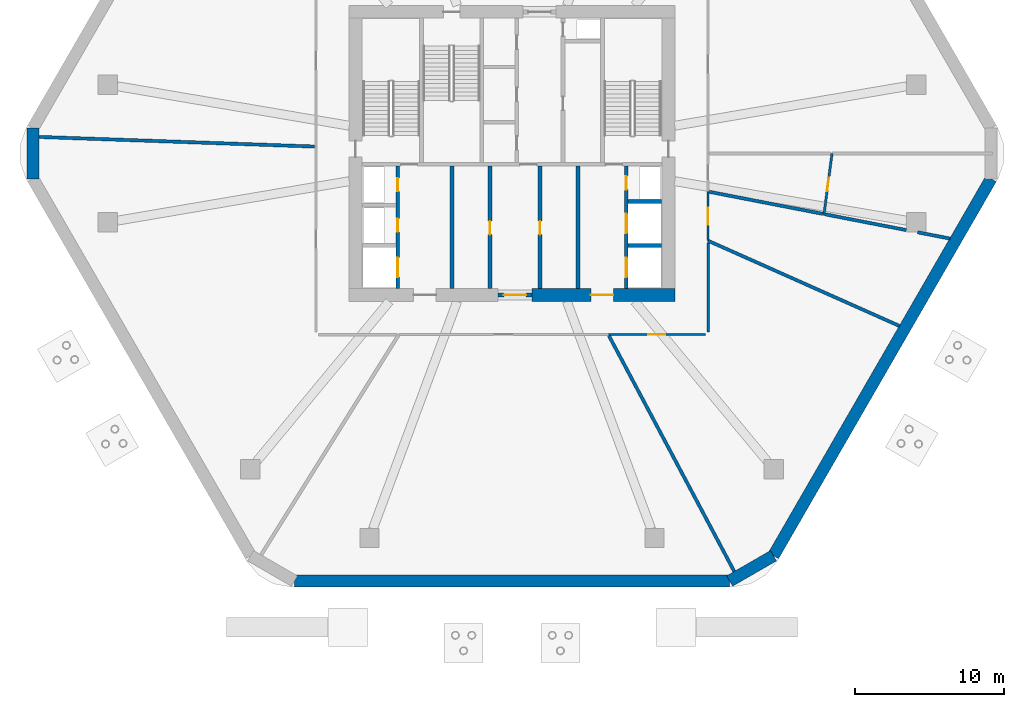
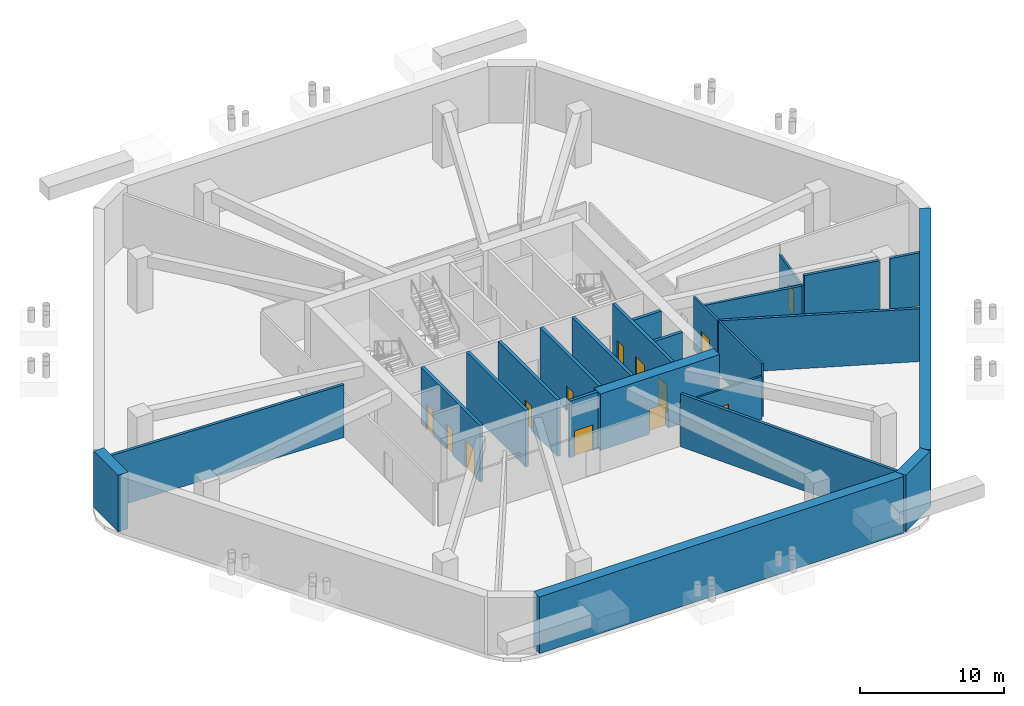
# One storey, part 7 of 10: 24 walls, 13 doors, 13 openings.
"""IFC4 building model written with IfcOpenShell, lengths in metres."""

from ifc_helpers import new_model, si_unit, direction, frame, frame_2d, origin, place, context, subcontext, project, spatial, rectangle, extrude, material, layer, layer_set, type_object, element, fill, save


model = new_model("IFC4")

# Units and contexts
model_context = context("Model", 3, precision=1e-05, world=origin(), true_north=direction((0.0, 1.0)))
body_context = subcontext(model_context, "Body", "Model", "MODEL_VIEW")
ifc_project = project(units=[si_unit("LENGTHUNIT", "METRE"), si_unit("AREAUNIT", "SQUARE_METRE"), si_unit("VOLUMEUNIT", "CUBIC_METRE"), si_unit("PLANEANGLEUNIT", "RADIAN"), si_unit("MASSUNIT", "GRAM", prefix="KILO")], contexts=[model_context])

# Site, building, storey
site_placement = place(None, origin())
site = spatial("IfcSite", under=ifc_project, at=site_placement, CompositionType="ELEMENT")
building_placement = place(site_placement, origin())
building = spatial("IfcBuilding", under=site, at=building_placement, Name="Zuhravey Tower", CompositionType="ELEMENT")
storey_placement = place(building_placement, frame((0.0, 0.0, -4.800048828125)))
storey = spatial("IfcBuildingStorey", under=building, at=storey_placement, Name="B01", CompositionType="ELEMENT", Elevation=-4.800048828125)

# Walls
ifc_material_1 = material(Name="Concrete C50/60", Category="concrete")
ifc_layer_1 = layer(ifc_material_1, 0.800048828125)
ifc_layer_set_1 = layer_set([ifc_layer_1], Name="Concrete C50/60")
wall_type_1 = type_object("IfcWallType", Name="Basement Retaining Wall 800", PredefinedType="USERDEFINED", material=ifc_layer_set_1)
wall_1_placement = place(storey_placement, frame((3.843505859375, 33.699951171875, 0.0), z_axis=(0.0, 0.0, 1.0), x_axis=(0.0, -1.0, 0.0)))
element("IfcWall", 1, at=wall_1_placement, inside=storey, type_object=wall_type_1, Name="B01 Retaining Wall RW80-07", ObjectType="RETAININGWALL", PredefinedType="USERDEFINED", context=body_context, shape_type="SweptSolid", body=[
    extrude(rectangle(XDim=3.39990234375, YDim=0.800048828125, at=frame_2d((1.699951171875, 0.0))), origin(), (0.0, 0.0, 1.0), 4.800048828125),
])
wall_2_placement = place(storey_placement, frame((21.393798828125, 3.301513671875, 0.0), z_axis=(0.0, 0.0, 1.0), x_axis=(1.0, 0.0, 0.0)))
element("IfcWall", 2, at=wall_2_placement, inside=storey, type_object=wall_type_1, Name="B01 Retaining Wall RW80-10", ObjectType="RETAININGWALL", PredefinedType="USERDEFINED", context=body_context, shape_type="SweptSolid", body=[
    extrude(rectangle(XDim=29.21240234375, YDim=0.800048828125, at=frame_2d((14.606201171875, 0.0))), origin(), (0.0, 0.0, 1.0), 4.800048828125),
])
wall_3_placement = place(storey_placement, frame((50.606201171875, 3.301513671875, 0.0), z_axis=(0.0, 0.0, 1.0), x_axis=(0.866020560687, 0.500008388397, 0.0)))
element("IfcWall", 3, at=wall_3_placement, inside=storey, type_object=wall_type_1, Name="B01 Retaining Wall RW80-11", ObjectType="RETAININGWALL", PredefinedType="USERDEFINED", context=body_context, shape_type="SweptSolid", body=[
    extrude(rectangle(XDim=3.39990234375, YDim=0.800048828125, at=frame_2d((1.699951171875, 0.0))), origin(), (0.0, 0.0, 1.0), 4.800048828125),
])
wall_4_placement = place(storey_placement, frame((53.550537109375, 5.00146484375, 0.0), z_axis=(0.0, 0.0, 1.0), x_axis=(0.499995192696, 0.866028179265, 0.0)))
element("IfcWall", 4, at=wall_4_placement, inside=storey, type_object=wall_type_1, Name="B01 Retaining Wall RW80-12", ObjectType="RETAININGWALL", PredefinedType="USERDEFINED", context=body_context, shape_type="SweptSolid", body=[
    extrude(rectangle(XDim=29.212158203125, YDim=0.800048828125, at=frame_2d((14.60595703125, 0.0))), origin(), (0.0, 0.0, 1.0), 4.800048828125),
])

# Wall, opening, door
ifc_material_2 = material(Name="Concrete C60/75", Category="concrete")
ifc_layer_2 = layer(ifc_material_2, 0.85009765625)
ifc_layer_set_2 = layer_set([ifc_layer_2], Name="Concrete C60/75")
wall_type_2 = type_object("IfcWallType", Name="Core Shear Wall 850", PredefinedType="SHEAR", material=ifc_layer_set_2)
wall_5_placement = place(storey_placement, frame((37.35009765625, 22.5, 0.0), z_axis=(0.0, 0.0, 1.0), x_axis=(1.0, 0.0, 0.0)))
wall_5 = element("IfcWall", 5, at=wall_5_placement, inside=storey, type_object=wall_type_2, Name="B01 South-East Core Shear Wall CW85", PredefinedType="SHEAR", context=body_context, shape_type="SweptSolid", body=[
    extrude(rectangle(XDim=9.574951171875, YDim=0.85009765625, at=frame_2d((4.78759765625, 0.0))), origin(), (0.0, 0.0, 1.0), 4.800048828125),
])
opening_1_placement = place(wall_5_placement, frame((3.949951171875, 0.0, 0.0)))
opening_1 = element("IfcOpeningElement", 6, at=opening_1_placement, cuts=wall_5, Name="Opening FFD1", PredefinedType="OPENING", context=body_context, shape_type="SweptSolid", body=[
    extrude(rectangle(XDim=1.5, YDim=2.14990234375, at=frame_2d((0.75, 1.074951171875))), frame((0.0, 0.43701171875, 0.0), z_axis=(0.0, -1.0, 0.0), x_axis=(1.0, 0.0, 0.0)), (0.0, 0.0, 1.0), 0.8740234375),
])
ifc_material_3 = material(Name="Galvanised fire-rated steel leaf", Category="steel")
door_type_1 = type_object("IfcDoorType", Name="Firefighting Lobby Double Door 1500x2150", OperationType="DOUBLE_DOOR_SINGLE_SWING", PredefinedType="DOOR", material=ifc_material_3)
door_1_placement = place(opening_1_placement, origin())
door_1 = element("IfcDoor", 7, at=door_1_placement, inside=storey, type_object=door_type_1, Name="B01 Firefighting Lobby East Door", OperationType="DOUBLE_DOOR_SINGLE_SWING", OverallHeight=2.14990234375, OverallWidth=1.5, PredefinedType="DOOR", context=body_context, shape_type="SweptSolid", body=[
    extrude(rectangle(XDim=1.5, YDim=2.14990234375, at=frame_2d((0.75, 1.074951171875))), frame((0.0, 0.02490234375, 0.0), z_axis=(0.0, -1.0, 0.0), x_axis=(1.0, 0.0, 0.0)), (0.0, 0.0, 1.0), 0.050048828125),
])
fill(opening_1, door_1)

ifc_material_4 = material(Name="Gypsum fire-rated stud partition")
ifc_layer_3 = layer(ifc_material_4, 0.159912109375)
ifc_layer_set_3 = layer_set([ifc_layer_3], Name="Gypsum fire-rated stud partition")
wall_type_3 = type_object("IfcWallType", Name="Corridor Fire Partition 160", PredefinedType="PARTITIONING", material=ifc_layer_set_3)
wall_6_placement = place(storey_placement, frame((42.462890625, 19.844970703125, 0.0), z_axis=(0.0, 0.0, 1.0), x_axis=(1.0, 0.0, 0.0)))
wall_6 = element("IfcWall", 8, at=wall_6_placement, inside=storey, type_object=wall_type_3, Name="B01 IW16 Partition 024", PredefinedType="PARTITIONING", context=body_context, shape_type="SweptSolid", body=[
    extrude(rectangle(XDim=6.51220703125, YDim=0.159912109375, at=frame_2d((3.256103515625, 0.0))), origin(), (0.0, 0.0, 1.0), 3.630126953125),
])
opening_2_placement = place(wall_6_placement, frame((2.68115234375, 0.0, 0.0)))
opening_2 = element("IfcOpeningElement", 9, at=opening_2_placement, cuts=wall_6, Name="Opening CLD1", PredefinedType="OPENING", context=body_context, shape_type="SweptSolid", body=[
    extrude(rectangle(XDim=1.14990234375, YDim=2.199951171875, at=frame_2d((0.574951171875, 1.10009765625))), frame((0.0, 0.092041015625, 0.0), z_axis=(0.0, -1.0, 0.0), x_axis=(1.0, 0.0, 0.0)), (0.0, 0.0, 1.0), 0.183837890625),
])
ifc_material_5 = material(Name="Acoustic timber leaf with vision lite", Category="wood")
door_type_2 = type_object("IfcDoorType", Name="Classroom Acoustic Door 1150x2200", OperationType="NOTDEFINED", PredefinedType="DOOR", material=ifc_material_5)
door_2_placement = place(opening_2_placement, frame((1.14990234375, 0.0, 0.0), z_axis=(0.0, 0.0, 1.0), x_axis=(-1.0, 0.0, 0.0)))
door_2 = element("IfcDoor", 10, at=door_2_placement, inside=storey, type_object=door_type_2, Name="B01 Door 024.1", OperationType="SINGLE_SWING_RIGHT", OverallHeight=2.199951171875, OverallWidth=1.14990234375, PredefinedType="DOOR", context=body_context, shape_type="SweptSolid", body=[
    extrude(rectangle(XDim=1.14990234375, YDim=2.199951171875, at=frame_2d((0.574951171875, 1.10009765625))), frame((0.0, 0.02490234375, 0.0), z_axis=(0.0, -1.0, 0.0), x_axis=(1.0, 0.0, 0.0)), (0.0, 0.0, 1.0), 0.050048828125),
])
fill(opening_2, door_2)

wall_7_placement = place(storey_placement, frame((49.155029296875, 26.14306640625, 0.0), z_axis=(0.0, 0.0, 1.0), x_axis=(0.0, 1.0, 0.0)))
wall_7 = element("IfcWall", 11, at=wall_7_placement, inside=storey, type_object=wall_type_3, Name="B01 IW16 Partition 025", PredefinedType="PARTITIONING", context=body_context, shape_type="SweptSolid", body=[
    extrude(rectangle(XDim=3.2998046875, YDim=0.159912109375, at=frame_2d((1.64990234375, 0.0))), origin(), (0.0, 0.0, 1.0), 4.47998046875),
])
opening_3_placement = place(wall_7_placement, frame((1.074951171875, 0.0, 0.0)))
opening_3 = element("IfcOpeningElement", 12, at=opening_3_placement, cuts=wall_7, Name="Opening CLD1", PredefinedType="OPENING", context=body_context, shape_type="SweptSolid", body=[
    extrude(rectangle(XDim=1.14990234375, YDim=2.199951171875, at=frame_2d((0.574951171875, 1.10009765625))), frame((0.0, 0.092041015625, 0.0), z_axis=(0.0, -1.0, 0.0), x_axis=(1.0, 0.0, 0.0)), (0.0, 0.0, 1.0), 0.183837890625),
])
door_3_placement = place(opening_3_placement, frame((1.14990234375, 0.0, 0.0), z_axis=(0.0, 0.0, 1.0), x_axis=(-1.0, 0.0, 0.0)))
door_3 = element("IfcDoor", 13, at=door_3_placement, inside=storey, type_object=door_type_2, Name="B01 Door 025.1", OperationType="SINGLE_SWING_LEFT", OverallHeight=2.199951171875, OverallWidth=1.14990234375, PredefinedType="DOOR", context=body_context, shape_type="SweptSolid", body=[
    extrude(rectangle(XDim=1.14990234375, YDim=2.199951171875, at=frame_2d((0.574951171875, 1.10009765625))), frame((0.0, 0.02490234375, 0.0), z_axis=(0.0, -1.0, 0.0), x_axis=(1.0, 0.0, 0.0)), (0.0, 0.0, 1.0), 0.050048828125),
])
fill(opening_3, door_3)

wall_8_placement = place(storey_placement, frame((57.47998046875, 32.0, 0.0), z_axis=(0.0, 0.0, 1.0), x_axis=(-0.130513345376, -0.991446552608, 0.0)))
wall_8 = element("IfcWall", 14, at=wall_8_placement, inside=storey, type_object=wall_type_3, Name="B01 IW16 Partition 026", PredefinedType="PARTITIONING", context=body_context, shape_type="SweptSolid", body=[
    extrude(rectangle(XDim=4.1865234375, YDim=0.159912109375, at=frame_2d((2.09326171875, 0.0))), origin(), (0.0, 0.0, 1.0), 3.630126953125),
])
opening_4_placement = place(wall_8_placement, frame((1.643310546875, 0.0, 0.0)))
opening_4 = element("IfcOpeningElement", 15, at=opening_4_placement, cuts=wall_8, Name="Opening RSD1", PredefinedType="OPENING", context=body_context, shape_type="SweptSolid", body=[
    extrude(rectangle(XDim=0.89990234375, YDim=2.10009765625, at=frame_2d((0.449951171875, 1.050048828125))), frame((0.0, 0.092041015625, 0.0), z_axis=(0.0, -1.0, 0.0), x_axis=(1.0, 0.0, 0.0)), (0.0, 0.0, 1.0), 0.183837890625),
])
ifc_material_6 = material(Name="Galvanised fire-rated steel access leaf", Category="steel")
door_type_3 = type_object("IfcDoorType", Name="Riser & Shaft Access Fire Door 900x2100", OperationType="NOTDEFINED", PredefinedType="DOOR", material=ifc_material_6)
door_4_placement = place(opening_4_placement, origin())
door_4 = element("IfcDoor", 16, at=door_4_placement, inside=storey, type_object=door_type_3, Name="B01 Door 026.1", OperationType="SINGLE_SWING_RIGHT", OverallHeight=2.10009765625, OverallWidth=0.89990234375, PredefinedType="DOOR", context=body_context, shape_type="SweptSolid", body=[
    extrude(rectangle(XDim=0.89990234375, YDim=2.10009765625, at=frame_2d((0.449951171875, 1.050048828125))), frame((0.0, 0.02490234375, 0.0), z_axis=(0.0, -1.0, 0.0), x_axis=(1.0, 0.0, 0.0)), (0.0, 0.0, 1.0), 0.050048828125),
])
fill(opening_4, door_4)

# Wall
wall_9_placement = place(storey_placement, frame((49.175048828125, 20.02490234375, 0.0), z_axis=(0.0, 0.0, 1.0), x_axis=(0.0, 1.0, 0.0)))
element("IfcWall", 17, at=wall_9_placement, inside=storey, type_object=wall_type_3, Name="B01 IW16 Partition 045", PredefinedType="PARTITIONING", context=body_context, shape_type="SweptSolid", body=[
    extrude(rectangle(XDim=5.97998046875, YDim=0.159912109375, at=frame_2d((2.989990234375, 0.0))), origin(), (0.0, 0.0, 1.0), 4.47998046875),
])

# Wall, opening, door
ifc_layer_4 = layer(ifc_material_1, 0.25)
ifc_layer_set_4 = layer_set([ifc_layer_4], Name="Concrete C50/60")
wall_type_4 = type_object("IfcWallType", Name="Firefighting Shaft & Stair Wall 250", PredefinedType="SOLIDWALL", material=ifc_layer_set_4)
wall_10_placement = place(storey_placement, frame((35.06005859375, 22.5, 0.0), z_axis=(0.0, 0.0, 1.0), x_axis=(1.0, 0.0, 0.0)))
wall_10 = element("IfcWall", 18, at=wall_10_placement, inside=storey, type_object=wall_type_4, Name="B01 FW25 Shaft Wall 001", PredefinedType="SOLIDWALL", context=body_context, shape_type="SweptSolid", body=[
    extrude(rectangle(XDim=2.280029296875, YDim=0.25, at=frame_2d((1.14013671875, 0.0))), origin(), (0.0, 0.0, 1.0), 4.800048828125),
])
opening_5_placement = place(wall_10_placement, frame((0.389892578125, 0.0, 0.0)))
opening_5 = element("IfcOpeningElement", 19, at=opening_5_placement, cuts=wall_10, Name="Opening FFD1", PredefinedType="OPENING", context=body_context, shape_type="SweptSolid", body=[
    extrude(rectangle(XDim=1.5, YDim=2.14990234375, at=frame_2d((0.75, 1.074951171875))), frame((0.0, 0.136962890625, 0.0), z_axis=(0.0, -1.0, 0.0), x_axis=(1.0, 0.0, 0.0)), (0.0, 0.0, 1.0), 0.27392578125),
])
door_5_placement = place(opening_5_placement, frame((1.5, 0.0, 0.0), z_axis=(0.0, 0.0, 1.0), x_axis=(-1.0, 0.0, 0.0)))
door_5 = element("IfcDoor", 20, at=door_5_placement, inside=storey, type_object=door_type_1, Name="B01 South Lift Lobby Exit Door", OperationType="DOUBLE_DOOR_SINGLE_SWING", OverallHeight=2.14990234375, OverallWidth=1.5, PredefinedType="DOOR", context=body_context, shape_type="SweptSolid", body=[
    extrude(rectangle(XDim=1.5, YDim=2.14990234375, at=frame_2d((0.75, 1.074951171875))), frame((0.0, 0.02490234375, 0.0), z_axis=(0.0, -1.0, 0.0), x_axis=(1.0, 0.0, 0.0)), (0.0, 0.0, 1.0), 0.050048828125),
])
fill(opening_5, door_5)

# Wall, openings, doors
wall_11_placement = place(storey_placement, frame((28.324951171875, 22.949951171875, 0.0), z_axis=(0.0, 0.0, 1.0), x_axis=(0.0, 1.0, 0.0)))
wall_11 = element("IfcWall", 21, at=wall_11_placement, inside=storey, type_object=wall_type_4, Name="B01 FW25 Shaft Wall 011", PredefinedType="SOLIDWALL", context=body_context, shape_type="SweptSolid", body=[
    extrude(rectangle(XDim=8.199951171875, YDim=0.25, at=frame_2d((4.10009765625, 0.0))), origin(), (0.0, 0.0, 1.0), 4.800048828125),
])
opening_6_placement = place(wall_11_placement, frame((0.75, 0.0, 0.0)))
opening_6 = element("IfcOpeningElement", 22, at=opening_6_placement, cuts=wall_11, Name="Opening LD2", PredefinedType="OPENING", context=body_context, shape_type="SweptSolid", body=[
    extrude(rectangle(XDim=1.300048828125, YDim=2.300048828125, at=frame_2d((0.64990234375, 1.14990234375))), frame((0.0, 0.136962890625, 0.0), z_axis=(0.0, -1.0, 0.0), x_axis=(1.0, 0.0, 0.0)), (0.0, 0.0, 1.0), 0.27392578125),
])
opening_7_placement = place(wall_11_placement, frame((3.780029296875, 0.0, 0.0)))
opening_7 = element("IfcOpeningElement", 23, at=opening_7_placement, cuts=wall_11, Name="Opening RSD1", PredefinedType="OPENING", context=body_context, shape_type="SweptSolid", body=[
    extrude(rectangle(XDim=0.89990234375, YDim=2.10009765625, at=frame_2d((0.449951171875, 1.050048828125))), frame((0.0, 0.136962890625, 0.0), z_axis=(0.0, -1.0, 0.0), x_axis=(1.0, 0.0, 0.0)), (0.0, 0.0, 1.0), 0.27392578125),
])
opening_8_placement = place(wall_11_placement, frame((6.5, 0.0, 0.0)))
opening_8 = element("IfcOpeningElement", 24, at=opening_8_placement, cuts=wall_11, Name="Opening RSD1", PredefinedType="OPENING", context=body_context, shape_type="SweptSolid", body=[
    extrude(rectangle(XDim=0.89990234375, YDim=2.10009765625, at=frame_2d((0.449951171875, 1.050048828125))), frame((0.0, 0.136962890625, 0.0), z_axis=(0.0, -1.0, 0.0), x_axis=(1.0, 0.0, 0.0)), (0.0, 0.0, 1.0), 0.27392578125),
])
ifc_material_7 = material(Name="Brushed stainless steel", Category="steel")
door_type_4 = type_object("IfcDoorType", Name="Freight & Stretcher Lift Sliding Door 1300x2300", OperationType="DOUBLE_DOOR_SLIDING", PredefinedType="DOOR", material=ifc_material_7)
door_6_placement = place(opening_6_placement, frame((1.300048828125, 0.0, 0.0), z_axis=(0.0, 0.0, 1.0), x_axis=(-1.0, 0.0, 0.0)))
door_6 = element("IfcDoor", 25, at=door_6_placement, inside=storey, type_object=door_type_4, Name="B01 Lift FF1 Landing Door", OperationType="DOUBLE_DOOR_SLIDING", OverallHeight=2.300048828125, OverallWidth=1.300048828125, PredefinedType="DOOR", context=body_context, shape_type="SweptSolid", body=[
    extrude(rectangle(XDim=1.300048828125, YDim=2.300048828125, at=frame_2d((0.64990234375, 1.14990234375))), frame((0.0, 0.02490234375, 0.0), z_axis=(0.0, -1.0, 0.0), x_axis=(1.0, 0.0, 0.0)), (0.0, 0.0, 1.0), 0.050048828125),
])
fill(opening_6, door_6)
door_7_placement = place(opening_7_placement, frame((0.89990234375, 0.0, 0.0), z_axis=(0.0, 0.0, 1.0), x_axis=(-1.0, 0.0, 0.0)))
door_7 = element("IfcDoor", 26, at=door_7_placement, inside=storey, type_object=door_type_3, Name="B01 Electrical Riser Door", OperationType="SINGLE_SWING_RIGHT", OverallHeight=2.10009765625, OverallWidth=0.89990234375, PredefinedType="DOOR", context=body_context, shape_type="SweptSolid", body=[
    extrude(rectangle(XDim=0.89990234375, YDim=2.10009765625, at=frame_2d((0.449951171875, 1.050048828125))), frame((0.0, 0.02490234375, 0.0), z_axis=(0.0, -1.0, 0.0), x_axis=(1.0, 0.0, 0.0)), (0.0, 0.0, 1.0), 0.050048828125),
])
fill(opening_7, door_7)
door_8_placement = place(opening_8_placement, frame((0.89990234375, 0.0, 0.0), z_axis=(0.0, 0.0, 1.0), x_axis=(-1.0, 0.0, 0.0)))
door_8 = element("IfcDoor", 27, at=door_8_placement, inside=storey, type_object=door_type_3, Name="B01 Smoke Shaft Access Door", OperationType="SINGLE_SWING_LEFT", OverallHeight=2.10009765625, OverallWidth=0.89990234375, PredefinedType="DOOR", context=body_context, shape_type="SweptSolid", body=[
    extrude(rectangle(XDim=0.89990234375, YDim=2.10009765625, at=frame_2d((0.449951171875, 1.050048828125))), frame((0.0, 0.02490234375, 0.0), z_axis=(0.0, -1.0, 0.0), x_axis=(1.0, 0.0, 0.0)), (0.0, 0.0, 1.0), 0.050048828125),
])
fill(opening_8, door_8)

# Wall
wall_12_placement = place(storey_placement, frame((31.97509765625, 22.949951171875, 0.0), z_axis=(0.0, 0.0, 1.0), x_axis=(0.0, 1.0, 0.0)))
element("IfcWall", 28, at=wall_12_placement, inside=storey, type_object=wall_type_4, Name="B01 FW25 Shaft Wall 012", PredefinedType="SOLIDWALL", context=body_context, shape_type="SweptSolid", body=[
    extrude(rectangle(XDim=8.199951171875, YDim=0.25, at=frame_2d((4.10009765625, 0.0))), origin(), (0.0, 0.0, 1.0), 4.800048828125),
])

# Wall, opening, door
wall_13_placement = place(storey_placement, frame((34.52490234375, 22.949951171875, 0.0), z_axis=(0.0, 0.0, 1.0), x_axis=(0.0, 1.0, 0.0)))
wall_13 = element("IfcWall", 29, at=wall_13_placement, inside=storey, type_object=wall_type_4, Name="B01 FW25 Shaft Wall 013", PredefinedType="SOLIDWALL", context=body_context, shape_type="SweptSolid", body=[
    extrude(rectangle(XDim=8.199951171875, YDim=0.25, at=frame_2d((4.10009765625, 0.0))), origin(), (0.0, 0.0, 1.0), 4.800048828125),
])
opening_9_placement = place(wall_13_placement, frame((3.60009765625, 0.0, 0.0)))
opening_9 = element("IfcOpeningElement", 30, at=opening_9_placement, cuts=wall_13, Name="Opening RSD1", PredefinedType="OPENING", context=body_context, shape_type="SweptSolid", body=[
    extrude(rectangle(XDim=0.89990234375, YDim=2.10009765625, at=frame_2d((0.449951171875, 1.050048828125))), frame((0.0, 0.136962890625, 0.0), z_axis=(0.0, -1.0, 0.0), x_axis=(1.0, 0.0, 0.0)), (0.0, 0.0, 1.0), 0.27392578125),
])
door_9_placement = place(opening_9_placement, origin())
door_9 = element("IfcDoor", 31, at=door_9_placement, inside=storey, type_object=door_type_3, Name="B01 Basement West Equipment Store Door", OperationType="SINGLE_SWING_RIGHT", OverallHeight=2.10009765625, OverallWidth=0.89990234375, PredefinedType="DOOR", context=body_context, shape_type="SweptSolid", body=[
    extrude(rectangle(XDim=0.89990234375, YDim=2.10009765625, at=frame_2d((0.449951171875, 1.050048828125))), frame((0.0, 0.02490234375, 0.0), z_axis=(0.0, -1.0, 0.0), x_axis=(1.0, 0.0, 0.0)), (0.0, 0.0, 1.0), 0.050048828125),
])
fill(opening_9, door_9)

wall_14_placement = place(storey_placement, frame((37.875, 22.949951171875, 0.0), z_axis=(0.0, 0.0, 1.0), x_axis=(0.0, 1.0, 0.0)))
wall_14 = element("IfcWall", 32, at=wall_14_placement, inside=storey, type_object=wall_type_4, Name="B01 FW25 Shaft Wall 014", PredefinedType="SOLIDWALL", context=body_context, shape_type="SweptSolid", body=[
    extrude(rectangle(XDim=8.199951171875, YDim=0.25, at=frame_2d((4.10009765625, 0.0))), origin(), (0.0, 0.0, 1.0), 4.800048828125),
])
opening_10_placement = place(wall_14_placement, frame((3.60009765625, 0.0, 0.0)))
opening_10 = element("IfcOpeningElement", 33, at=opening_10_placement, cuts=wall_14, Name="Opening RSD1", PredefinedType="OPENING", context=body_context, shape_type="SweptSolid", body=[
    extrude(rectangle(XDim=0.89990234375, YDim=2.10009765625, at=frame_2d((0.449951171875, 1.050048828125))), frame((0.0, 0.136962890625, 0.0), z_axis=(0.0, -1.0, 0.0), x_axis=(1.0, 0.0, 0.0)), (0.0, 0.0, 1.0), 0.27392578125),
])
door_10_placement = place(opening_10_placement, frame((0.89990234375, 0.0, 0.0), z_axis=(0.0, 0.0, 1.0), x_axis=(-1.0, 0.0, 0.0)))
door_10 = element("IfcDoor", 34, at=door_10_placement, inside=storey, type_object=door_type_3, Name="B01 Basement East Equipment Store Door", OperationType="SINGLE_SWING_LEFT", OverallHeight=2.10009765625, OverallWidth=0.89990234375, PredefinedType="DOOR", context=body_context, shape_type="SweptSolid", body=[
    extrude(rectangle(XDim=0.89990234375, YDim=2.10009765625, at=frame_2d((0.449951171875, 1.050048828125))), frame((0.0, 0.02490234375, 0.0), z_axis=(0.0, -1.0, 0.0), x_axis=(1.0, 0.0, 0.0)), (0.0, 0.0, 1.0), 0.050048828125),
])
fill(opening_10, door_10)

# Walls
wall_15_placement = place(storey_placement, frame((40.425048828125, 22.949951171875, 0.0), z_axis=(0.0, 0.0, 1.0), x_axis=(0.0, 1.0, 0.0)))
element("IfcWall", 35, at=wall_15_placement, inside=storey, type_object=wall_type_4, Name="B01 FW25 Shaft Wall 015", PredefinedType="SOLIDWALL", context=body_context, shape_type="SweptSolid", body=[
    extrude(rectangle(XDim=8.199951171875, YDim=0.25, at=frame_2d((4.10009765625, 0.0))), origin(), (0.0, 0.0, 1.0), 4.800048828125),
])
for number, where, z_axis, x_axis, name in (
    (36, (43.800048828125, 25.824951171875, 0.0), (0.0, 0.0, 1.0), (1.0, 0.0, 0.0), "B01 FW25 Shaft Wall 016"),
    (37, (43.800048828125, 28.77490234375, 0.0), (0.0, 0.0, 1.0), (1.0, 0.0, 0.0), "B01 FW25 Shaft Wall 017"),
):
    element("IfcWall", number, at=place(storey_placement, frame(where, z_axis=z_axis, x_axis=x_axis)), inside=storey, type_object=wall_type_4, Name=name, PredefinedType="SOLIDWALL", context=body_context, shape_type="SweptSolid", body=[
        extrude(rectangle(XDim=2.25, YDim=0.25, at=frame_2d((1.125, 0.0))), origin(), (0.0, 0.0, 1.0), 4.800048828125),
    ])

# Wall, openings, doors
wall_16_placement = place(storey_placement, frame((43.675048828125, 22.949951171875, 0.0), z_axis=(0.0, 0.0, 1.0), x_axis=(0.0, 1.0, 0.0)))
wall_16 = element("IfcWall", 38, at=wall_16_placement, inside=storey, type_object=wall_type_4, Name="B01 FW25 Shaft Wall 018", PredefinedType="SOLIDWALL", context=body_context, shape_type="SweptSolid", body=[
    extrude(rectangle(XDim=8.199951171875, YDim=0.25, at=frame_2d((4.10009765625, 0.0))), origin(), (0.0, 0.0, 1.0), 4.800048828125),
])
opening_11_placement = place(wall_16_placement, frame((0.75, 0.0, 0.0)))
opening_11 = element("IfcOpeningElement", 39, at=opening_11_placement, cuts=wall_16, Name="Opening LD2", PredefinedType="OPENING", context=body_context, shape_type="SweptSolid", body=[
    extrude(rectangle(XDim=1.300048828125, YDim=2.300048828125, at=frame_2d((0.64990234375, 1.14990234375))), frame((0.0, 0.136962890625, 0.0), z_axis=(0.0, -1.0, 0.0), x_axis=(1.0, 0.0, 0.0)), (0.0, 0.0, 1.0), 0.27392578125),
])
opening_12_placement = place(wall_16_placement, frame((3.699951171875, 0.0, 0.0)))
opening_12 = element("IfcOpeningElement", 40, at=opening_12_placement, cuts=wall_16, Name="Opening LD2", PredefinedType="OPENING", context=body_context, shape_type="SweptSolid", body=[
    extrude(rectangle(XDim=1.300048828125, YDim=2.300048828125, at=frame_2d((0.64990234375, 1.14990234375))), frame((0.0, 0.136962890625, 0.0), z_axis=(0.0, -1.0, 0.0), x_axis=(1.0, 0.0, 0.0)), (0.0, 0.0, 1.0), 0.27392578125),
])
opening_13_placement = place(wall_16_placement, frame((6.6201171875, 0.0, 0.0)))
opening_13 = element("IfcOpeningElement", 41, at=opening_13_placement, cuts=wall_16, Name="Opening RSD1", PredefinedType="OPENING", context=body_context, shape_type="SweptSolid", body=[
    extrude(rectangle(XDim=0.89990234375, YDim=2.10009765625, at=frame_2d((0.449951171875, 1.050048828125))), frame((0.0, 0.136962890625, 0.0), z_axis=(0.0, -1.0, 0.0), x_axis=(1.0, 0.0, 0.0)), (0.0, 0.0, 1.0), 0.27392578125),
])
door_11_placement = place(opening_11_placement, origin())
door_11 = element("IfcDoor", 42, at=door_11_placement, inside=storey, type_object=door_type_4, Name="B01 Lift FF2 Landing Door", OperationType="DOUBLE_DOOR_SLIDING", OverallHeight=2.300048828125, OverallWidth=1.300048828125, PredefinedType="DOOR", context=body_context, shape_type="SweptSolid", body=[
    extrude(rectangle(XDim=1.300048828125, YDim=2.300048828125, at=frame_2d((0.64990234375, 1.14990234375))), frame((0.0, 0.02490234375, 0.0), z_axis=(0.0, -1.0, 0.0), x_axis=(1.0, 0.0, 0.0)), (0.0, 0.0, 1.0), 0.050048828125),
])
fill(opening_11, door_11)
door_12_placement = place(opening_12_placement, origin())
door_12 = element("IfcDoor", 43, at=door_12_placement, inside=storey, type_object=door_type_4, Name="B01 Lift SV1 Landing Door", OperationType="DOUBLE_DOOR_SLIDING", OverallHeight=2.300048828125, OverallWidth=1.300048828125, PredefinedType="DOOR", context=body_context, shape_type="SweptSolid", body=[
    extrude(rectangle(XDim=1.300048828125, YDim=2.300048828125, at=frame_2d((0.64990234375, 1.14990234375))), frame((0.0, 0.02490234375, 0.0), z_axis=(0.0, -1.0, 0.0), x_axis=(1.0, 0.0, 0.0)), (0.0, 0.0, 1.0), 0.050048828125),
])
fill(opening_12, door_12)
door_13_placement = place(opening_13_placement, origin())
door_13 = element("IfcDoor", 44, at=door_13_placement, inside=storey, type_object=door_type_3, Name="B01 Plumbing Riser Door", OperationType="SINGLE_SWING_RIGHT", OverallHeight=2.10009765625, OverallWidth=0.89990234375, PredefinedType="DOOR", context=body_context, shape_type="SweptSolid", body=[
    extrude(rectangle(XDim=0.89990234375, YDim=2.10009765625, at=frame_2d((0.449951171875, 1.050048828125))), frame((0.0, 0.02490234375, 0.0), z_axis=(0.0, -1.0, 0.0), x_axis=(1.0, 0.0, 0.0)), (0.0, 0.0, 1.0), 0.050048828125),
])
fill(opening_13, door_13)

# Walls
ifc_material_8 = material(Name="Gypsum acoustic stud assembly")
ifc_layer_5 = layer(ifc_material_8, 0.219970703125)
ifc_layer_set_5 = layer_set([ifc_layer_5], Name="Gypsum acoustic stud assembly")
wall_type_5 = type_object("IfcWallType", Name="School Acoustic Compartment Wall 220", PredefinedType="PARTITIONING", material=ifc_layer_set_5)
wall_17_placement = place(storey_placement, frame((22.757080078125, 32.46240234375, 0.0), z_axis=(0.0, 0.0, 1.0), x_axis=(-0.999390825949, 0.034899527353, 0.0)))
element("IfcWall", 45, at=wall_17_placement, inside=storey, type_object=wall_type_5, Name="B01 IW22 Partition 035", PredefinedType="PARTITIONING", context=body_context, shape_type="SweptSolid", body=[
    extrude(rectangle(XDim=18.76904296875, YDim=0.219970703125, at=frame_2d((9.384521484375, 0.0))), origin(), (0.0, 0.0, 1.0), 4.47998046875),
])
wall_18_placement = place(storey_placement, frame((42.509765625, 19.757080078125, 0.0), z_axis=(0.0, 0.0, 1.0), x_axis=(0.469467550078, -0.882949726442, 0.0)))
element("IfcWall", 46, at=wall_18_placement, inside=storey, type_object=wall_type_5, Name="B01 IW22 Partition 037", PredefinedType="PARTITIONING", context=body_context, shape_type="SweptSolid", body=[
    extrude(rectangle(XDim=18.154052734375, YDim=0.219970703125, at=frame_2d((9.0771484375, 0.0))), origin(), (0.0, 0.0, 1.0), 4.47998046875),
])
wall_19_placement = place(storey_placement, frame((49.155029296875, 26.14306640625, 0.0), z_axis=(0.0, 0.0, 1.0), x_axis=(0.913545255977, -0.406737096025, 0.0)))
element("IfcWall", 47, at=wall_19_placement, inside=storey, type_object=wall_type_5, Name="B01 IW22 Partition 038", PredefinedType="PARTITIONING", context=body_context, shape_type="SweptSolid", body=[
    extrude(rectangle(XDim=14.074462890625, YDim=0.219970703125, at=frame_2d((7.037109375, 0.0))), origin(), (0.0, 0.0, 1.0), 4.47998046875),
])
wall_20_placement = place(storey_placement, frame((49.242919921875, 29.42578125, 0.0), z_axis=(0.0, 0.0, 1.0), x_axis=(0.981630292762, -0.190792998645, 0.0)))
element("IfcWall", 48, at=wall_20_placement, inside=storey, type_object=wall_type_5, Name="B01 IW22 Partition 039", PredefinedType="PARTITIONING", context=body_context, shape_type="SweptSolid", body=[
    extrude(rectangle(XDim=7.757080078125, YDim=0.219970703125, at=frame_2d((3.87841796875, 0.0))), origin(), (0.0, 0.0, 1.0), 3.630126953125),
])
wall_21_placement = place(storey_placement, frame((57.030517578125, 27.912109375, 0.0), z_axis=(0.0, 0.0, 1.0), x_axis=(0.981622048647, -0.190835409736, 0.0)))
element("IfcWall", 49, at=wall_21_placement, inside=storey, type_object=wall_type_5, Name="B01 IW22 Partition 040", PredefinedType="PARTITIONING", context=body_context, shape_type="SweptSolid", body=[
    extrude(rectangle(XDim=5.533203125, YDim=0.219970703125, at=frame_2d((2.7666015625, 0.0))), origin(), (0.0, 0.0, 1.0), 4.47998046875),
])
wall_22_placement = place(storey_placement, frame((63.22021484375, 26.708984375, 0.0), z_axis=(0.0, 0.0, 1.0), x_axis=(0.981615389669, -0.190869659102, 0.0)))
element("IfcWall", 50, at=wall_22_placement, inside=storey, type_object=wall_type_5, Name="B01 IW22 Partition 041", PredefinedType="PARTITIONING", context=body_context, shape_type="SweptSolid", body=[
    extrude(rectangle(XDim=2.220458984375, YDim=0.219970703125, at=frame_2d((1.1103515625, 0.0))), origin(), (0.0, 0.0, 1.0), 4.47998046875),
])

save(model, "model.ifc")
